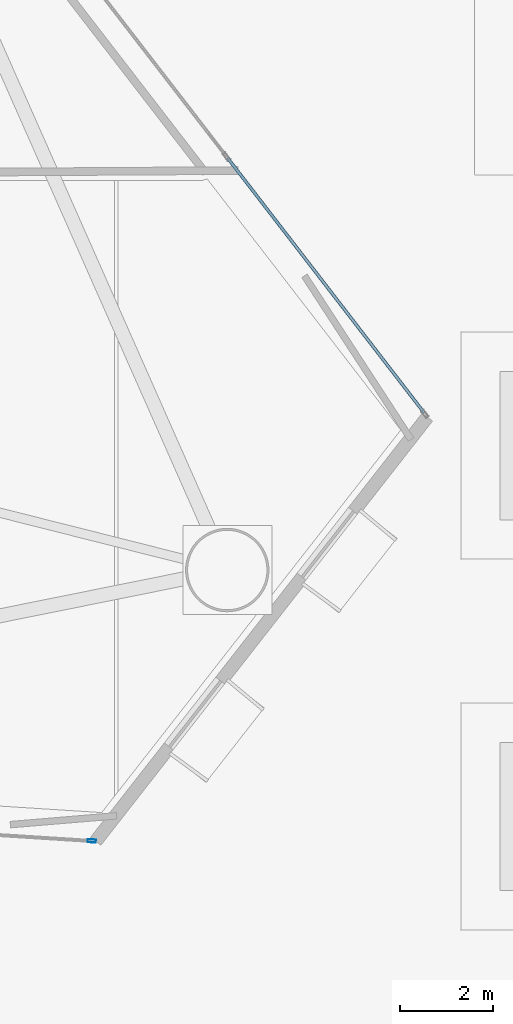
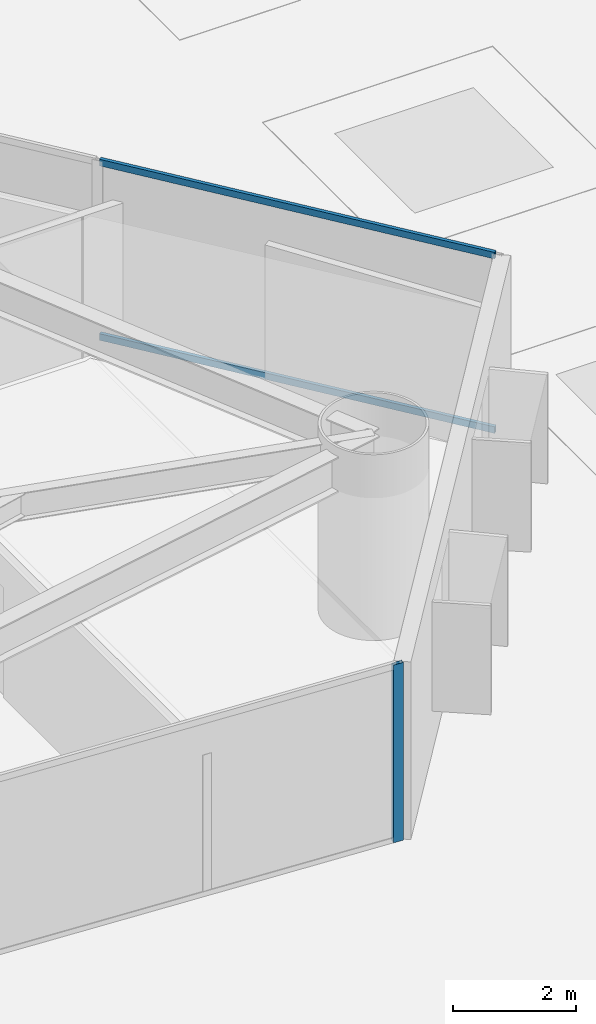
# One storey, part 10 of 22: 3 members, 2 elements without a shape of their own.
"""IFC4 building model written with IfcOpenShell, lengths in metres."""

from ifc_helpers import new_model, si_unit, direction, frame, origin, origin_2d, place, context, subcontext, project, spatial, hollow_rectangle, extrude, material, layer, layer_set, material_profile, profile_set, type_object, element, aggregate, save


model = new_model("IFC4")

# Units and contexts
model_context = context("Model", 3, precision=1e-05, world=origin(), true_north=direction((0.0, 1.0)))
body_context = subcontext(model_context, "Body", "Model", "MODEL_VIEW")
ifc_project = project(units=[si_unit("LENGTHUNIT", "METRE"), si_unit("AREAUNIT", "SQUARE_METRE"), si_unit("VOLUMEUNIT", "CUBIC_METRE"), si_unit("PLANEANGLEUNIT", "RADIAN"), si_unit("MASSUNIT", "GRAM", prefix="KILO")], contexts=[model_context])

# Site, building, storey
site_placement = place(None, origin())
site = spatial("IfcSite", under=ifc_project, at=site_placement, CompositionType="ELEMENT")
building_placement = place(site_placement, origin())
building = spatial("IfcBuilding", under=site, at=building_placement, Name="Qianvela Tower", CompositionType="ELEMENT")
storey_placement = place(building_placement, frame((0.0, 0.0, 25.699951171875)))
storey = spatial("IfcBuildingStorey", under=building, at=storey_placement, Name="L05", CompositionType="ELEMENT", Elevation=25.699951171875)

# Curtain wall, member
ifc_material_1 = material(Name="Anodised Architectural Aluminium and Low-E Glass", Category="aluminium")
ifc_layer = layer(ifc_material_1, 0.179931640625)
ifc_layer_set = layer_set([ifc_layer], Name="Anodised Architectural Aluminium and Low-E Glass")
curtain_wall_type = type_object("IfcCurtainWallType", Name="CW-COLIV-Z12", PredefinedType="USERDEFINED", material=ifc_layer_set)
curtain_wall_1_placement = place(storey_placement, origin())
curtain_wall_1 = element("IfcCurtainWall", 1, at=curtain_wall_1_placement, inside=storey, type_object=curtain_wall_type, Name="L05 CW-COLIV-Z12 Curtain Wall 06C", ObjectType="CURTAIN_WALL_SYSTEM", PredefinedType="USERDEFINED")
ifc_material_2 = material(Name="Anodised Architectural Aluminium 6063-T6", Category="aluminium")
ifc_material_profile_1 = material_profile(ifc_material_2, hollow_rectangle(XDim=0.070068359375, YDim=0.179931640625, WallThickness=0.0048828125, at=origin_2d()), Name="ALU-MULL-70x180")
ifc_profile_set_1 = profile_set([ifc_material_profile_1], Name="Anodised Architectural Aluminium 6063-T6")
member_type_1 = type_object("IfcMemberType", Name="CW-COLIV-Z12-MULL", PredefinedType="MULLION", material=ifc_profile_set_1)
member_1_placement = place(storey_placement, frame((51.590087890625, 11.47314453125, 0.0), z_axis=(0.0, 0.0, 1.0), x_axis=(0.063608399994, 0.997974935282, 0.0)))
member_1 = element("IfcMember", 2, at=member_1_placement, type_object=member_type_1, Name="CW-3 mullion 2", PredefinedType="MULLION", context=body_context, shape_type="SweptSolid", body=[
    extrude(hollow_rectangle(XDim=0.070068359375, YDim=0.179931640625, WallThickness=0.0048828125, at=origin_2d()), origin(), (0.0, 0.0, 1.0), 3.52001953125),
])
aggregate(curtain_wall_1, [member_1])

# Curtain wall, members
curtain_wall_2_placement = place(storey_placement, origin())
curtain_wall_2 = element("IfcCurtainWall", 3, at=curtain_wall_2_placement, inside=storey, type_object=curtain_wall_type, Name="L05 CW-COLIV-Z12 Curtain Wall 02A", ObjectType="CURTAIN_WALL_SYSTEM", PredefinedType="USERDEFINED")
ifc_material_3 = material(Name="Anodised Architectural Aluminium 6063-T6", Category="aluminium")
ifc_material_profile_2 = material_profile(ifc_material_3, hollow_rectangle(XDim=0.06494140625, YDim=0.1298828125, WallThickness=0.00439453125, at=origin_2d()), Name="ALU-TRAN-65x130")
ifc_profile_set_2 = profile_set([ifc_material_profile_2], Name="Anodised Architectural Aluminium 6063-T6")
member_type_2 = type_object("IfcMemberType", Name="CW-COLIV-Z12-TRAN", PredefinedType="USERDEFINED", material=ifc_profile_set_2)
member_2_placement = place(storey_placement, frame((58.75634765625, 20.712890625, 0.032470703125), z_axis=(-0.6107990402, 0.7917856607, 0.0), x_axis=(-0.7917856607, -0.6107990402, 0.0)))
member_2 = element("IfcMember", 4, at=member_2_placement, type_object=member_type_2, Name="CW-3 transom 1.1", ObjectType="TRANSOM", PredefinedType="USERDEFINED", context=body_context, shape_type="SweptSolid", body=[
    extrude(hollow_rectangle(XDim=0.06494140625, YDim=0.1298828125, WallThickness=0.00439453125, at=origin_2d()), origin(), (0.0, 0.0, 1.0), 6.934814453125),
])
member_3_placement = place(storey_placement, frame((58.75634765625, 20.712890625, 3.487548828125), z_axis=(-0.6107990402, 0.7917856607, 0.0), x_axis=(-0.7917856607, -0.6107990402, 0.0)))
member_3 = element("IfcMember", 5, at=member_3_placement, type_object=member_type_2, Name="CW-3 transom 1.2", ObjectType="TRANSOM", PredefinedType="USERDEFINED", context=body_context, shape_type="SweptSolid", body=[
    extrude(hollow_rectangle(XDim=0.06494140625, YDim=0.1298828125, WallThickness=0.00439453125, at=origin_2d()), origin(), (0.0, 0.0, 1.0), 6.934814453125),
])
aggregate(curtain_wall_2, [member_2, member_3])

save(model, "model.ifc")
